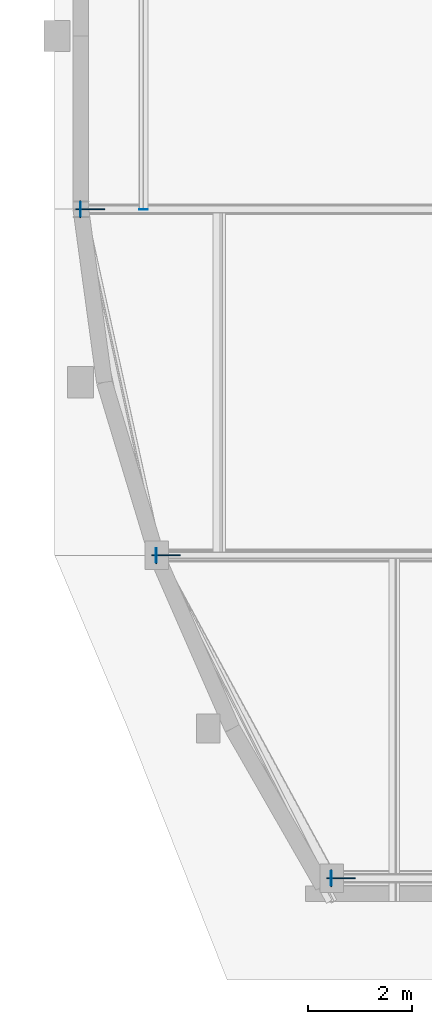
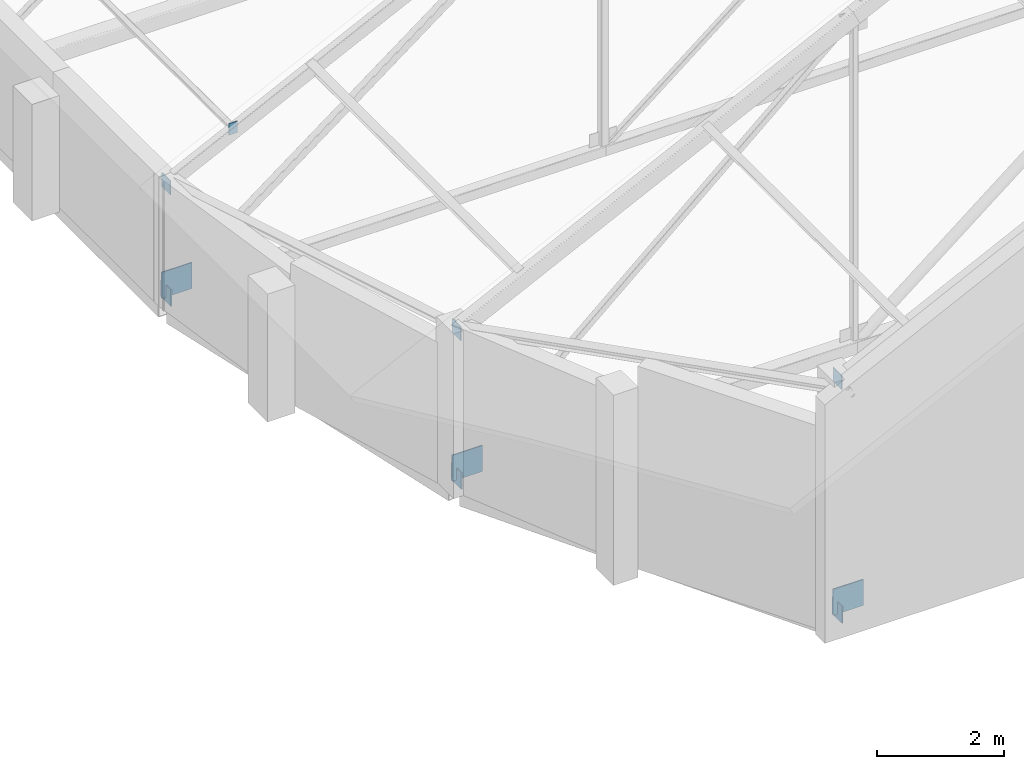
# One storey, part 48 of 78: 10 plates.
"""IFC4 building model written with IfcOpenShell, lengths in metres."""

from ifc_helpers import new_model, si_unit, direction, frame, origin, origin_2d, place, context, subcontext, project, spatial, rectangle, extrude, material, layer, layer_set, type_object, element, save


model = new_model("IFC4")

# Units and contexts
model_context = context("Model", 3, precision=1e-05, world=origin(), true_north=direction((0.0, 1.0)))
body_context = subcontext(model_context, "Body", "Model", "MODEL_VIEW")
ifc_project = project(units=[si_unit("LENGTHUNIT", "METRE"), si_unit("AREAUNIT", "SQUARE_METRE"), si_unit("VOLUMEUNIT", "CUBIC_METRE"), si_unit("PLANEANGLEUNIT", "RADIAN"), si_unit("MASSUNIT", "GRAM", prefix="KILO")], contexts=[model_context])

# Site, building, storey
site_placement = place(None, origin())
site = spatial("IfcSite", under=ifc_project, at=site_placement, CompositionType="ELEMENT")
building_placement = place(site_placement, origin())
building = spatial("IfcBuilding", under=site, at=building_placement, Name="Kelanivale Promenade Academy", CompositionType="ELEMENT")
storey_placement = place(building_placement, frame((0.0, 0.0, 16.199951171875)))
storey = spatial("IfcBuildingStorey", under=building, at=storey_placement, Name="L04", CompositionType="ELEMENT", Elevation=16.199951171875)

# Plates
ifc_material = material(Name="Steel S355", Category="steel")
ifc_layer_1 = layer(ifc_material, 0.01611328125)
ifc_layer_set_1 = layer_set([ifc_layer_1], Name="Steel S355")
plate_type_1 = type_object("IfcPlateType", Name="TN-CP16 Plate 16mm", PredefinedType="USERDEFINED", material=ifc_layer_set_1)
for number, where, z_axis, x_axis, name in (
    (1, (128.14208984375, 33.449951171875, 4.510009765625), (0.0, 0.0, 1.0), (-1.0, 0.0, 0.0), "ROOF TRUSS TN-1 hollow-section end cap plate"),
    (2, (124.7919921875, 39.62890625, 2.8740234375), (0.0, 0.0, 1.0), (-1.0, 0.0, 0.0), "ROOF TRUSS TN-1 hollow-section end cap plate"),
    (3, (123.342041015625, 46.257080078125, 2.166015625), (0.0, 0.0, 1.0), (-1.0, 0.0, 0.0), "ROOF TRUSS TN-1 hollow-section end cap plate"),
):
    element("IfcPlate", number, at=place(storey_placement, frame(where, z_axis=z_axis, x_axis=x_axis)), inside=storey, type_object=plate_type_1, Name=name, ObjectType="CAP PLATE", PredefinedType="USERDEFINED", context=body_context, shape_type="SweptSolid", body=[
        extrude(rectangle(XDim=0.01611328125, YDim=0.27001953125, at=origin_2d()), origin(), (0.0, 0.0, 1.0), 0.27001953125),
    ])
plate_placement = place(storey_placement, frame((124.550048828125, 46.2490234375, 2.8408203125), z_axis=(0.0, 0.0, 1.0), x_axis=(0.0, -1.0, 0.0)))
element("IfcPlate", 4, at=plate_placement, inside=storey, type_object=plate_type_1, Name="ROOF TRUSS TN-4 hollow-section end cap plate", ObjectType="CAP PLATE", PredefinedType="USERDEFINED", context=body_context, shape_type="SweptSolid", body=[
    extrude(rectangle(XDim=0.01611328125, YDim=0.159912109375, at=origin_2d()), origin(), (0.0, 0.0, 1.0), 0.219970703125),
])
ifc_layer_2 = layer(ifc_material, 0.02001953125)
ifc_layer_set_2 = layer_set([ifc_layer_2], Name="Steel S355")
plate_type_2 = type_object("IfcPlateType", Name="TN-CP20 Plate 20mm", PredefinedType="USERDEFINED", material=ifc_layer_set_2)
for number, where, z_axis, x_axis, name in (
    (5, (128.139892578125, 33.449951171875, 0.0400390625), (0.0, 0.0, 1.0), (-1.0, 0.0, 0.0), "ROOF TRUSS TN-1 hollow-section end cap plate"),
    (6, (124.7900390625, 39.62890625, 0.0400390625), (0.0, 0.0, 1.0), (-1.0, 0.0, 0.0), "ROOF TRUSS TN-1 hollow-section end cap plate"),
    (7, (123.340087890625, 46.257080078125, 0.0400390625), (0.0, 0.0, 1.0), (-1.0, 0.0, 0.0), "ROOF TRUSS TN-1 hollow-section end cap plate"),
):
    element("IfcPlate", number, at=place(storey_placement, frame(where, z_axis=z_axis, x_axis=x_axis)), inside=storey, type_object=plate_type_2, Name=name, ObjectType="CAP PLATE", PredefinedType="USERDEFINED", context=body_context, shape_type="SweptSolid", body=[
        extrude(rectangle(XDim=0.02001953125, YDim=0.320068359375, at=origin_2d()), origin(), (0.0, 0.0, 1.0), 0.320068359375),
    ])
ifc_layer_3 = layer(ifc_material, 0.02001953125)
ifc_layer_set_3 = layer_set([ifc_layer_3], Name="Steel S355")
plate_type_3 = type_object("IfcPlateType", Name="TN-GP20 Plate 20mm", PredefinedType="USERDEFINED", material=ifc_layer_set_3)
for number, where, z_axis, x_axis, name in (
    (8, (128.330078125, 33.449951171875, 0.130126953125), (0.0, 0.0, 1.0), (1.0, 0.0, 0.0), "ROOF TRUSS TN-1 welded node gusset plate"),
    (9, (124.97998046875, 39.62890625, 0.130126953125), (0.0, 0.0, 1.0), (1.0, 0.0, 0.0), "ROOF TRUSS TN-1 welded node gusset plate"),
    (10, (123.530029296875, 46.257080078125, 0.130126953125), (0.0, 0.0, 1.0), (1.0, 0.0, 0.0), "ROOF TRUSS TN-1 welded node gusset plate"),
):
    element("IfcPlate", number, at=place(storey_placement, frame(where, z_axis=z_axis, x_axis=x_axis)), inside=storey, type_object=plate_type_3, Name=name, ObjectType="GUSSET PLATE", PredefinedType="USERDEFINED", context=body_context, shape_type="SweptSolid", body=[
        extrude(rectangle(XDim=0.550048828125, YDim=0.02001953125, at=origin_2d()), origin(), (0.0, 0.0, 1.0), 0.5),
    ])

save(model, "model.ifc")
